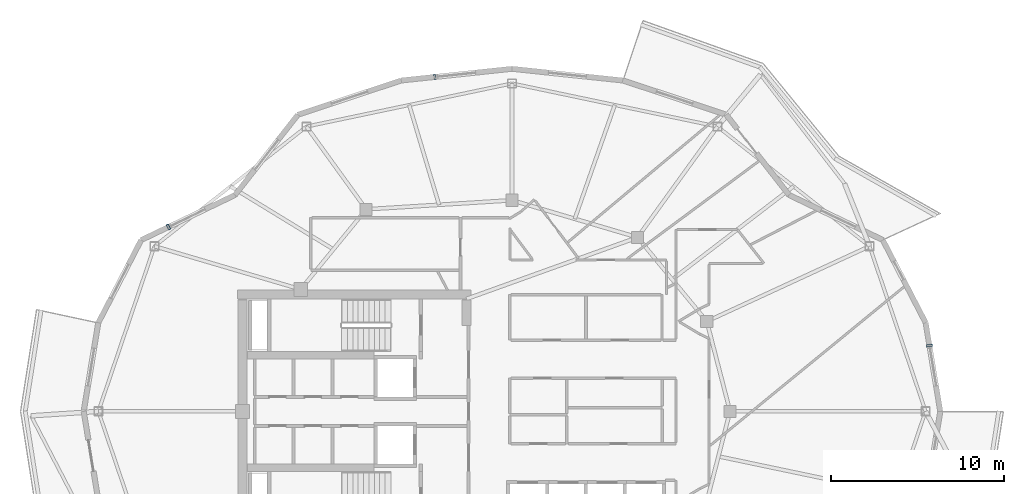
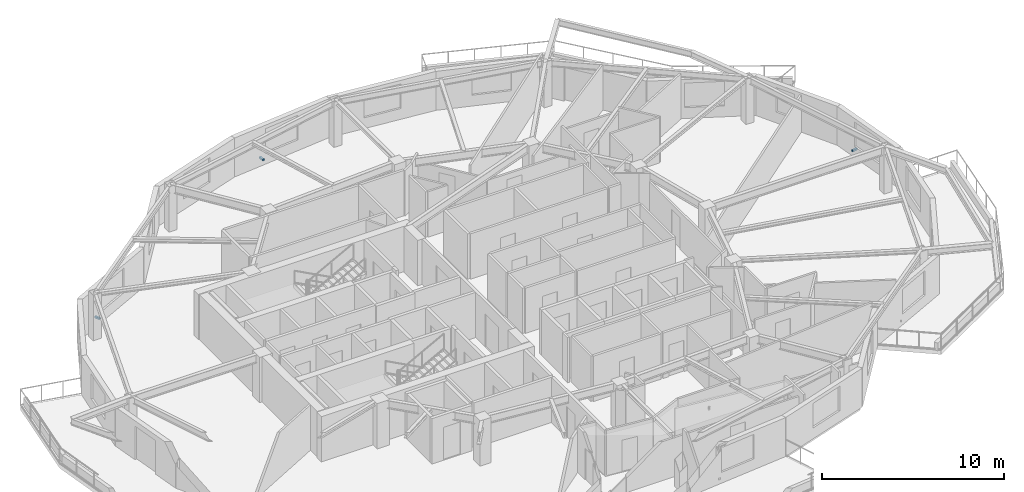
# One storey, part 9 of 14: 3 discrete accessories.
"""IFC4 building model written with IfcOpenShell, lengths in metres."""

from ifc_helpers import new_model, si_unit, direction, frame, origin, origin_2d, place, context, subcontext, project, spatial, rectangle, extrude, material, type_object, element, save


model = new_model("IFC4")

# Units and contexts
model_context = context("Model", 3, precision=1e-05, world=origin(), true_north=direction((0.0, 1.0)))
body_context = subcontext(model_context, "Body", "Model", "MODEL_VIEW")
ifc_project = project(units=[si_unit("LENGTHUNIT", "METRE"), si_unit("AREAUNIT", "SQUARE_METRE"), si_unit("VOLUMEUNIT", "CUBIC_METRE"), si_unit("PLANEANGLEUNIT", "RADIAN"), si_unit("MASSUNIT", "GRAM", prefix="KILO")], contexts=[model_context])

# Site, building, storey
site_placement = place(None, origin())
site = spatial("IfcSite", under=ifc_project, at=site_placement, CompositionType="ELEMENT")
building_placement = place(site_placement, origin())
building = spatial("IfcBuilding", under=site, at=building_placement, Name="Kolvaren Gate Tower and Convention Centre", CompositionType="ELEMENT")
storey_placement = place(building_placement, frame((0.0, 0.0, 216.199951171875)))
storey = spatial("IfcBuildingStorey", under=building, at=storey_placement, Name="L57", CompositionType="ELEMENT", Elevation=216.199951171875)

# Discrete accessories
ifc_material = material(Name="Anodized Architectural Aluminium Alloy 6063-T6", Category="aluminium")
discrete_accessory_type = type_object("IfcDiscreteAccessoryType", Name="ARCH-ACC-BRACKET-120", PredefinedType="BRACKET", material=ifc_material)
for number, where, z_axis, x_axis, name in (
    (1, (54.248779296875, 30.805419921875, 0.2900390625), (0.0, 0.0, 1.0), (0.162375401515, -0.986729055508, 0.0), "Ceramic Fin Wall Anchor Bracket FBK-L57-00"),
    (2, (25.66943359375, 46.330810546875, 0.2900390625), (0.0, 0.0, 1.0), (0.994498884311, 0.104747167526, 0.0), "Ceramic Fin Wall Anchor Bracket FBK-L57-06"),
    (3, (10.268310546875, 37.657958984375, 0.2900390625), (0.0, 0.0, 1.0), (0.90135914581, 0.433072384555, 0.0), "Ceramic Fin Wall Anchor Bracket FBK-L57-09"),
):
    element("IfcDiscreteAccessory", number, at=place(storey_placement, frame(where, z_axis=z_axis, x_axis=x_axis)), inside=storey, type_object=discrete_accessory_type, Name=name, PredefinedType="BRACKET", context=body_context, shape_type="SweptSolid", body=[
        extrude(rectangle(XDim=0.1201171875, YDim=0.320068359375, at=origin_2d()), origin(), (0.0, 0.0, 1.0), 0.1201171875),
    ])

save(model, "model.ifc")
